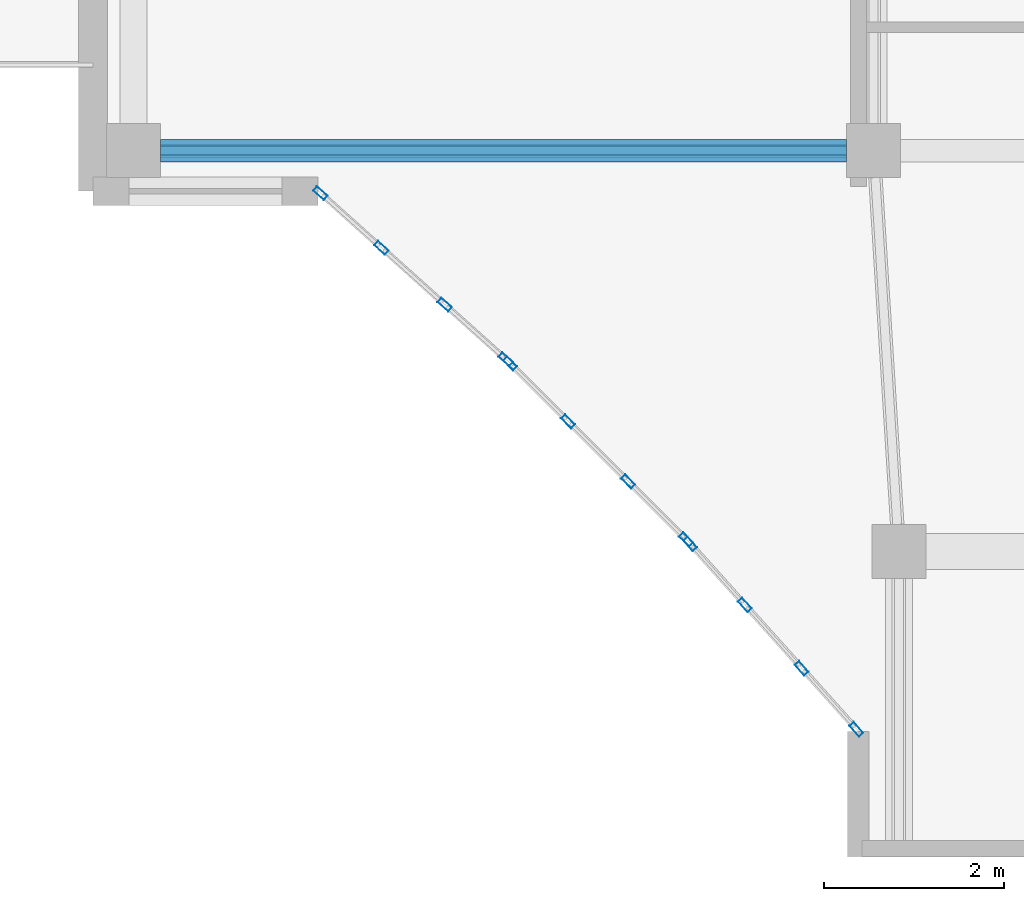
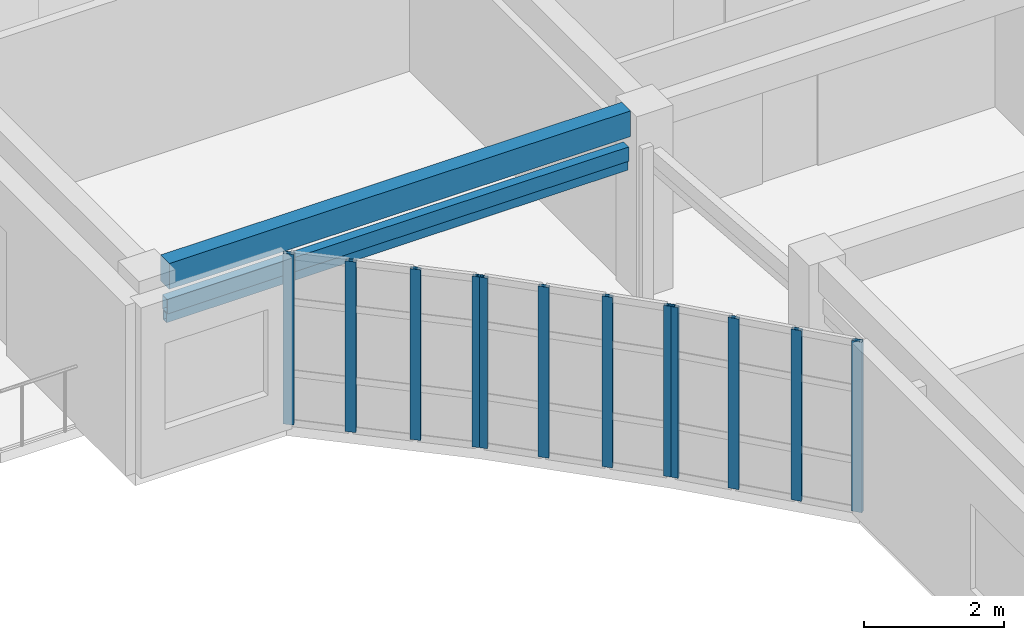
# One storey, part 4 of 71: 14 members, 1 beam, 3 elements without a shape of their own.
"""IFC4 building model written with IfcOpenShell, lengths in metres."""

from ifc_helpers import new_model, si_unit, direction, frame, origin, origin_2d, place, context, subcontext, project, spatial, rectangle, hollow_rectangle, extrude, material, layer, layer_set, material_profile, profile_set, type_object, element, aggregate, save


model = new_model("IFC4")

# Units and contexts
model_context = context("Model", 3, precision=1e-05, world=origin(), true_north=direction((0.0, 1.0)))
body_context = subcontext(model_context, "Body", "Model", "MODEL_VIEW")
ifc_project = project(units=[si_unit("LENGTHUNIT", "METRE"), si_unit("AREAUNIT", "SQUARE_METRE"), si_unit("VOLUMEUNIT", "CUBIC_METRE"), si_unit("PLANEANGLEUNIT", "RADIAN"), si_unit("MASSUNIT", "GRAM", prefix="KILO")], contexts=[model_context])

# Site, building, storey
site_placement = place(None, origin())
site = spatial("IfcSite", under=ifc_project, at=site_placement, CompositionType="ELEMENT")
building_placement = place(site_placement, origin())
building = spatial("IfcBuilding", under=site, at=building_placement, Name="Keldmere Railside Commons", CompositionType="ELEMENT")
storey_placement = place(building_placement, frame((0.0, 0.0, 20.159912109375)))
storey = spatial("IfcBuildingStorey", under=building, at=storey_placement, Name="L06", CompositionType="ELEMENT", Elevation=20.159912109375)

# Member
ifc_material_1 = material(Name="Steel F-36 (S355)", Category="steel")
ifc_material_profile_1 = material_profile(ifc_material_1, hollow_rectangle(XDim=0.14990234375, YDim=0.25, WallThickness=0.010009765625, at=origin_2d()), Name="RHS-250x150x10")
ifc_profile_set_1 = profile_set([ifc_material_profile_1], Name="Steel F-36 (S355)")
member_type_1 = type_object("IfcMemberType", Name="Balcony Continuous Planted Trough RHS250x150", PredefinedType="CHORD", material=ifc_profile_set_1)
member_1_placement = place(storey_placement, frame((40.25, 100.449951171875, 2.4150390625), z_axis=(1.0, 0.0, 0.0), x_axis=(0.0, 1.0, 0.0)))
element("IfcMember", 1, at=member_1_placement, inside=storey, type_object=member_type_1, Name="PLT-1 MEM-BPLT-0703", PredefinedType="CHORD", context=body_context, shape_type="SweptSolid", body=[
    extrude(hollow_rectangle(XDim=0.14990234375, YDim=0.25, WallThickness=0.010009765625, at=origin_2d()), origin(), (0.0, 0.0, 1.0), 7.6201171875),
])

# Beam
ifc_material_2 = material(Name="Architectural Precast Concrete H-35 (C35/45)", Category="concrete")
ifc_material_profile_2 = material_profile(ifc_material_2, rectangle(XDim=0.25, YDim=0.449951171875, at=origin_2d()), Name="RC-250x450")
ifc_profile_set_2 = profile_set([ifc_material_profile_2], Name="Architectural Precast Concrete H-35 (C35/45)")
beam_type = type_object("IfcBeamType", Name="Perimeter Precast Spandrel Beam 250x450", PredefinedType="SPANDREL", material=ifc_profile_set_2)
beam_placement = place(storey_placement, frame((40.25, 100.449951171875, 2.97509765625), z_axis=(1.0, 0.0, 0.0), x_axis=(0.0, 1.0, 0.0)))
element("IfcBeam", 2, at=beam_placement, inside=storey, type_object=beam_type, Name="SPB-1 BM-L06-1898", PredefinedType="SPANDREL", context=body_context, shape_type="SweptSolid", body=[
    extrude(rectangle(XDim=0.25, YDim=0.449951171875, at=origin_2d()), origin(), (0.0, 0.0, 1.0), 7.6201171875),
])

# Member
ifc_material_profile_3 = material_profile(ifc_material_1, hollow_rectangle(XDim=0.10009765625, YDim=0.159912109375, WallThickness=0.008056640625, at=origin_2d()), Name="RHS-160x100x8")
ifc_profile_set_3 = profile_set([ifc_material_profile_3], Name="Steel F-36 (S355)")
member_type_2 = type_object("IfcMemberType", Name="Solar Brise-Soleil Louvre Fin RHS160x100", PredefinedType="STRUT", material=ifc_profile_set_3)
member_2_placement = place(storey_placement, frame((40.25, 100.449951171875, 2.2001953125), z_axis=(1.0, 0.0, 0.0), x_axis=(0.0, 1.0, 0.0)))
element("IfcMember", 3, at=member_2_placement, inside=storey, type_object=member_type_2, Name="BSF-1 MEM-BSF-0704", PredefinedType="STRUT", context=body_context, shape_type="SweptSolid", body=[
    extrude(hollow_rectangle(XDim=0.10009765625, YDim=0.159912109375, WallThickness=0.008056640625, at=origin_2d()), origin(), (0.0, 0.0, 1.0), 7.6201171875),
])

# Curtain wall, members
ifc_material_3 = material(Name="Thermally Broken Aluminium", Category="aluminium")
ifc_layer_1 = layer(ifc_material_3, 0.159912109375, Name="Court Chord Wintergarden CW 4800x2850")
ifc_layer_set_1 = layer_set([ifc_layer_1], Name="Thermally Broken Aluminium")
curtain_wall_type_1 = type_object("IfcCurtainWallType", Name="Court Chord Wintergarden CW 4800x2850", PredefinedType="NOTDEFINED", material=ifc_layer_set_1)
curtain_wall_1_placement = place(storey_placement, origin())
curtain_wall_1 = element("IfcCurtainWall", 4, at=curtain_wall_1_placement, inside=storey, type_object=curtain_wall_type_1, Name="CW-12 CW-L06-064", PredefinedType="NOTDEFINED")
ifc_material_profile_4 = material_profile(ifc_material_3, hollow_rectangle(XDim=0.06494140625, YDim=0.159912109375, WallThickness=0.00390625, at=origin_2d()), Name="ALU-MULL-65x160")
ifc_profile_set_4 = profile_set([ifc_material_profile_4], Name="Thermally Broken Aluminium")
member_type_3 = type_object("IfcMemberType", Name="Unitised Curtain Wall Mullion 65x160", PredefinedType="MULLION", material=ifc_profile_set_4)
member_3_placement = place(storey_placement, frame((44.083740234375, 98.131591796875, 0.0), z_axis=(0.0, 0.0, 1.0), x_axis=(-0.667558519879, -0.744557333277, 0.0)))
member_3 = element("IfcMember", 5, at=member_3_placement, type_object=member_type_3, Name="CW-12 mullion 1", PredefinedType="MULLION", context=body_context, shape_type="SweptSolid", body=[
    extrude(hollow_rectangle(XDim=0.06494140625, YDim=0.159912109375, WallThickness=0.00390625, at=origin_2d()), origin(), (0.0, 0.0, 1.0), 2.97998046875),
])
member_4_placement = place(storey_placement, frame((43.4052734375, 98.739990234375, 0.0), z_axis=(0.0, 0.0, 1.0), x_axis=(-0.667558519879, -0.744557333277, 0.0)))
member_4 = element("IfcMember", 6, at=member_4_placement, type_object=member_type_3, Name="CW-12 mullion 2", PredefinedType="MULLION", context=body_context, shape_type="SweptSolid", body=[
    extrude(hollow_rectangle(XDim=0.06494140625, YDim=0.159912109375, WallThickness=0.00390625, at=origin_2d()), origin(), (0.0, 0.0, 1.0), 2.97998046875),
])
member_5_placement = place(storey_placement, frame((42.70263671875, 99.3701171875, 0.0), z_axis=(0.0, 0.0, 1.0), x_axis=(-0.667558519879, -0.744557333277, 0.0)))
member_5 = element("IfcMember", 7, at=member_5_placement, type_object=member_type_3, Name="CW-12 mullion 3", PredefinedType="MULLION", context=body_context, shape_type="SweptSolid", body=[
    extrude(hollow_rectangle(XDim=0.06494140625, YDim=0.159912109375, WallThickness=0.00390625, at=origin_2d()), origin(), (0.0, 0.0, 1.0), 2.97998046875),
])
member_6_placement = place(storey_placement, frame((42.024169921875, 99.978271484375, 0.0), z_axis=(0.0, 0.0, 1.0), x_axis=(-0.667558519879, -0.744557333277, 0.0)))
member_6 = element("IfcMember", 8, at=member_6_placement, type_object=member_type_3, Name="CW-12 mullion 4", PredefinedType="MULLION", context=body_context, shape_type="SweptSolid", body=[
    extrude(hollow_rectangle(XDim=0.06494140625, YDim=0.159912109375, WallThickness=0.00390625, at=origin_2d()), origin(), (0.0, 0.0, 1.0), 2.97998046875),
])
aggregate(curtain_wall_1, [member_3, member_4, member_5, member_6])

ifc_layer_2 = layer(ifc_material_3, 0.159912109375, Name="Court Chord Wintergarden CW 5400x2850")
ifc_layer_set_2 = layer_set([ifc_layer_2], Name="Thermally Broken Aluminium")
curtain_wall_type_2 = type_object("IfcCurtainWallType", Name="Court Chord Wintergarden CW 5400x2850", PredefinedType="NOTDEFINED", material=ifc_layer_set_2)
curtain_wall_2_placement = place(storey_placement, origin())
curtain_wall_2 = element("IfcCurtainWall", 9, at=curtain_wall_2_placement, inside=storey, type_object=curtain_wall_type_2, Name="CW-13 CW-L06-065", PredefinedType="NOTDEFINED")
member_7_placement = place(storey_placement, frame((46.0869140625, 96.130859375, 0.0), z_axis=(0.0, 0.0, 1.0), x_axis=(-0.707106781187, -0.707106781187, 0.0)))
member_7 = element("IfcMember", 10, at=member_7_placement, type_object=member_type_3, Name="CW-13 mullion 1", PredefinedType="MULLION", context=body_context, shape_type="SweptSolid", body=[
    extrude(hollow_rectangle(XDim=0.06494140625, YDim=0.159912109375, WallThickness=0.00390625, at=origin_2d()), origin(), (0.0, 0.0, 1.0), 2.97998046875),
])
member_8_placement = place(storey_placement, frame((45.442626953125, 96.775390625, 0.0), z_axis=(0.0, 0.0, 1.0), x_axis=(-0.707106781187, -0.707106781187, 0.0)))
member_8 = element("IfcMember", 11, at=member_8_placement, type_object=member_type_3, Name="CW-13 mullion 2", PredefinedType="MULLION", context=body_context, shape_type="SweptSolid", body=[
    extrude(hollow_rectangle(XDim=0.06494140625, YDim=0.159912109375, WallThickness=0.00390625, at=origin_2d()), origin(), (0.0, 0.0, 1.0), 2.97998046875),
])
member_9_placement = place(storey_placement, frame((44.775390625, 97.442626953125, 0.0), z_axis=(0.0, 0.0, 1.0), x_axis=(-0.707106781187, -0.707106781187, 0.0)))
member_9 = element("IfcMember", 12, at=member_9_placement, type_object=member_type_3, Name="CW-13 mullion 3", PredefinedType="MULLION", context=body_context, shape_type="SweptSolid", body=[
    extrude(hollow_rectangle(XDim=0.06494140625, YDim=0.159912109375, WallThickness=0.00390625, at=origin_2d()), origin(), (0.0, 0.0, 1.0), 2.97998046875),
])
member_10_placement = place(storey_placement, frame((44.130859375, 98.0869140625, 0.0), z_axis=(0.0, 0.0, 1.0), x_axis=(-0.707106781187, -0.707106781187, 0.0)))
member_10 = element("IfcMember", 13, at=member_10_placement, type_object=member_type_3, Name="CW-13 mullion 4", PredefinedType="MULLION", context=body_context, shape_type="SweptSolid", body=[
    extrude(hollow_rectangle(XDim=0.06494140625, YDim=0.159912109375, WallThickness=0.00390625, at=origin_2d()), origin(), (0.0, 0.0, 1.0), 2.97998046875),
])
aggregate(curtain_wall_2, [member_7, member_8, member_9, member_10])

curtain_wall_3_placement = place(storey_placement, origin())
curtain_wall_3 = element("IfcCurtainWall", 14, at=curtain_wall_3_placement, inside=storey, type_object=curtain_wall_type_1, Name="CW-12 CW-L06-066", PredefinedType="NOTDEFINED")
member_11_placement = place(storey_placement, frame((47.978271484375, 94.024169921875, 0.0), z_axis=(0.0, 0.0, 1.0), x_axis=(-0.744557333277, -0.667558519879, 0.0)))
member_11 = element("IfcMember", 15, at=member_11_placement, type_object=member_type_3, Name="CW-12 mullion 1", PredefinedType="MULLION", context=body_context, shape_type="SweptSolid", body=[
    extrude(hollow_rectangle(XDim=0.06494140625, YDim=0.159912109375, WallThickness=0.00390625, at=origin_2d()), origin(), (0.0, 0.0, 1.0), 2.97998046875),
])
member_12_placement = place(storey_placement, frame((47.3701171875, 94.70263671875, 0.0), z_axis=(0.0, 0.0, 1.0), x_axis=(-0.744557333277, -0.667558519879, 0.0)))
member_12 = element("IfcMember", 16, at=member_12_placement, type_object=member_type_3, Name="CW-12 mullion 2", PredefinedType="MULLION", context=body_context, shape_type="SweptSolid", body=[
    extrude(hollow_rectangle(XDim=0.06494140625, YDim=0.159912109375, WallThickness=0.00390625, at=origin_2d()), origin(), (0.0, 0.0, 1.0), 2.97998046875),
])
member_13_placement = place(storey_placement, frame((46.739990234375, 95.4052734375, 0.0), z_axis=(0.0, 0.0, 1.0), x_axis=(-0.744557333277, -0.667558519879, 0.0)))
member_13 = element("IfcMember", 17, at=member_13_placement, type_object=member_type_3, Name="CW-12 mullion 3", PredefinedType="MULLION", context=body_context, shape_type="SweptSolid", body=[
    extrude(hollow_rectangle(XDim=0.06494140625, YDim=0.159912109375, WallThickness=0.00390625, at=origin_2d()), origin(), (0.0, 0.0, 1.0), 2.97998046875),
])
member_14_placement = place(storey_placement, frame((46.131591796875, 96.083740234375, 0.0), z_axis=(0.0, 0.0, 1.0), x_axis=(-0.744557333277, -0.667558519879, 0.0)))
member_14 = element("IfcMember", 18, at=member_14_placement, type_object=member_type_3, Name="CW-12 mullion 4", PredefinedType="MULLION", context=body_context, shape_type="SweptSolid", body=[
    extrude(hollow_rectangle(XDim=0.06494140625, YDim=0.159912109375, WallThickness=0.00390625, at=origin_2d()), origin(), (0.0, 0.0, 1.0), 2.97998046875),
])
aggregate(curtain_wall_3, [member_11, member_12, member_13, member_14])

save(model, "model.ifc")
